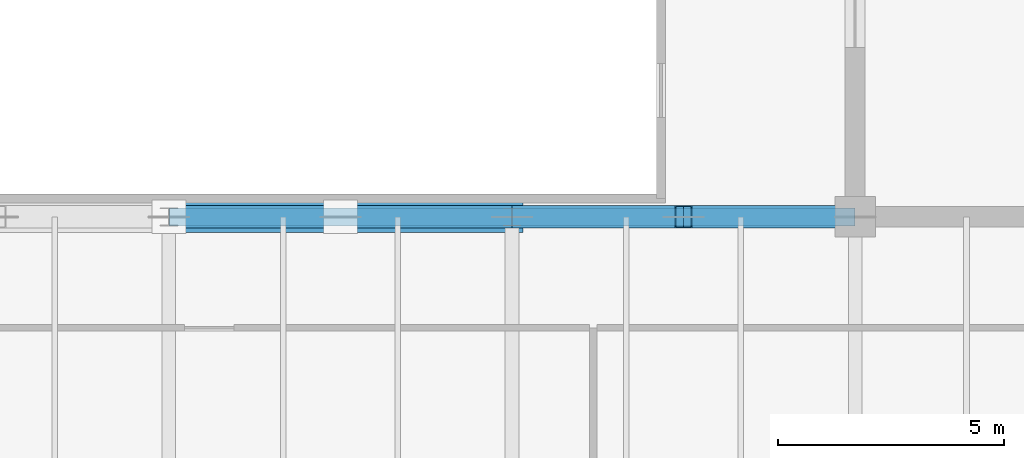
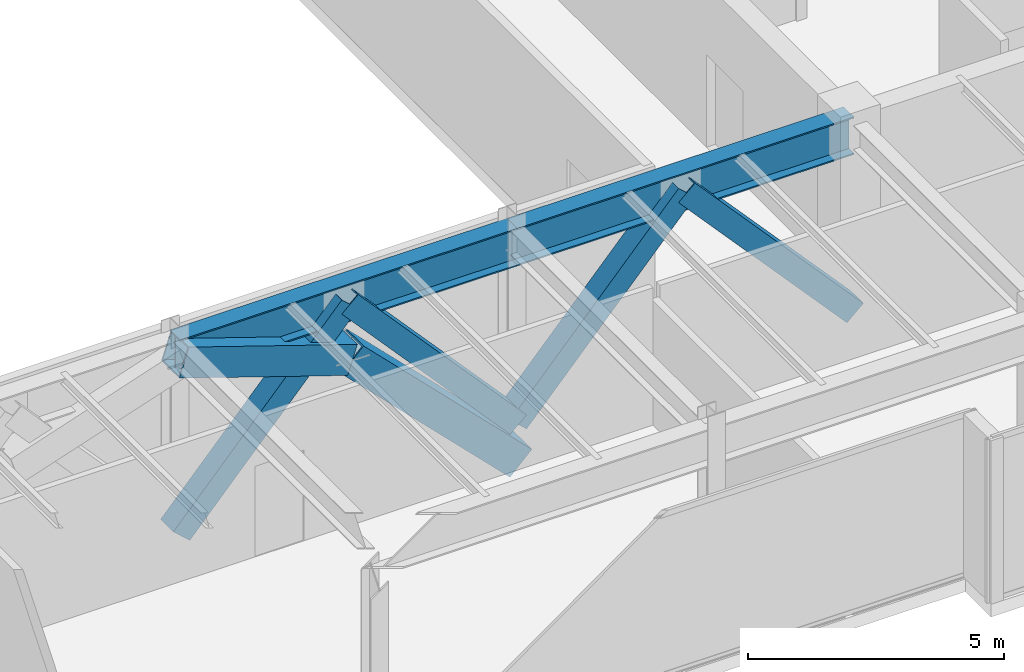
# One storey, part 12 of 32: 6 members, 2 beams.
"""IFC4 building model written with IfcOpenShell, lengths in metres."""

from ifc_helpers import new_model, si_unit, direction, frame, origin, origin_2d, place, context, subcontext, project, spatial, hollow_rectangle, i_section, extrude, source, transform, mapped, material, material_profile, profile_set, type_object, type_shapes, element, save


model = new_model("IFC4")

# Units and contexts
model_context = context("Model", 3, precision=1e-05, world=origin(), true_north=direction((0.0, 1.0)))
body_context = subcontext(model_context, "Body", "Model", "MODEL_VIEW")
ifc_project = project(units=[si_unit("LENGTHUNIT", "METRE"), si_unit("AREAUNIT", "SQUARE_METRE"), si_unit("VOLUMEUNIT", "CUBIC_METRE"), si_unit("PLANEANGLEUNIT", "RADIAN"), si_unit("MASSUNIT", "GRAM", prefix="KILO")], contexts=[model_context])

# Site, building, storey
site_placement = place(None, origin())
site = spatial("IfcSite", under=ifc_project, at=site_placement, CompositionType="ELEMENT")
building_placement = place(site_placement, origin())
building = spatial("IfcBuilding", under=site, at=building_placement, Name="Haelvirn Gate Laboratories", CompositionType="ELEMENT")
storey_placement = place(building_placement, frame((0.0, 0.0, 314.39990234375)))
storey = spatial("IfcBuildingStorey", under=building, at=storey_placement, Name="L75", CompositionType="ELEMENT", Elevation=314.39990234375)

# Beams
ifc_material = material(Name="Steel SM420", Category="steel")
ifc_material_profile_1 = material_profile(ifc_material, i_section(OverallWidth=0.39990234375, OverallDepth=0.89990234375, WebThickness=0.01904296875, FlangeThickness=0.031982421875, at=origin_2d()), Name="H-900x400x19x32")
ifc_profile_set_1 = profile_set([ifc_material_profile_1], Name="Steel SM420")
beam_type = type_object("IfcBeamType", Name="BM-TG-900", PredefinedType="BEAM", material=ifc_profile_set_1)
shared_shape_1 = source(origin(), body_context, "Body", "SweptSolid", [
    extrude(i_section(OverallWidth=0.39990234375, OverallDepth=0.89990234375, WebThickness=0.01904296875, FlangeThickness=0.031982421875, at=origin_2d()), origin(), (0.0, 0.0, 1.0), 7.60009765625),
])
type_shapes(beam_type, [shared_shape_1])
for number, where, z_axis, x_axis, name in (
    (1, (37.39990234375, 14.800048828125, 3.4501953125), (1.0, 0.0, 0.0), (0.0, 1.0, 0.0), "L75 Primary Girder Y14.8 (37.4-45.0)"),
    (2, (45.0, 14.800048828125, 3.4501953125), (1.0, 0.0, 0.0), (0.0, 1.0, 0.0), "L75 Primary Girder Y14.8 (45.0-52.6)"),
):
    element("IfcBeam", number, at=place(storey_placement, frame(where, z_axis=z_axis, x_axis=x_axis)), inside=storey, type_object=beam_type, Name=name, PredefinedType="BEAM", context=body_context, shape_type="MappedRepresentation", body=[
        mapped(shared_shape_1, transform((0.0, 0.0, 0.0), scale=1.0)),
    ])

# Members
ifc_material_profile_2 = material_profile(ifc_material, hollow_rectangle(XDim=0.699951171875, YDim=0.699951171875, WallThickness=0.031982421875, at=origin_2d()), Name="BOX-700x700x32")
ifc_profile_set_2 = profile_set([ifc_material_profile_2], Name="Steel SM420")
member_type_1 = type_object("IfcMemberType", Name="MEM-ARCH-RIB", PredefinedType="CHORD", material=ifc_profile_set_2)
shared_shape_2 = source(origin(), body_context, "Body", "SweptSolid", [
    extrude(hollow_rectangle(XDim=0.699951171875, YDim=0.699951171875, WallThickness=0.031982421875, at=origin_2d()), origin(), (0.0, 0.0, 1.0), 5.371826171875),
])
member_1_placement = place(storey_placement, frame((41.199951171875, 14.800048828125, 2.1845703125), z_axis=(0.707402133154, 0.0, -0.706811305802), x_axis=(0.0, 1.0, 0.0)))
element("IfcMember", 3, at=member_1_placement, inside=storey, type_object=member_type_1, Name="Parabolic Steel Arch Rib Y14.8 Seg 6", PredefinedType="CHORD", context=body_context, shape_type="MappedRepresentation", body=[
    mapped(shared_shape_2, transform((0.0, 0.0, 0.0), scale=1.0)),
])
shared_shape_3 = source(origin(), body_context, "Body", "SweptSolid", [
    extrude(hollow_rectangle(XDim=0.699951171875, YDim=0.699951171875, WallThickness=0.031982421875, at=origin_2d()), origin(), (0.0, 0.0, 1.0), 4.00537109375),
])
type_shapes(member_type_1, [shared_shape_2, shared_shape_3])
member_2_placement = place(storey_placement, frame((37.39990234375, 14.800048828125, 3.4501953125), z_axis=(0.948762509593, 0.0, -0.315990032106), x_axis=(0.0, 1.0, 0.0)))
element("IfcMember", 4, at=member_2_placement, inside=storey, type_object=member_type_1, Name="Parabolic Steel Arch Rib Y14.8 Seg 5", PredefinedType="CHORD", context=body_context, shape_type="MappedRepresentation", body=[
    mapped(shared_shape_3, transform((0.0, 0.0, 0.0), scale=1.0)),
])
ifc_material_profile_3 = material_profile(ifc_material, hollow_rectangle(XDim=0.5, YDim=0.5, WallThickness=0.02197265625, at=origin_2d()), Name="BOX-500x500x22")
ifc_profile_set_3 = profile_set([ifc_material_profile_3], Name="Steel SM420")
member_type_2 = type_object("IfcMemberType", Name="MEM-ARCH-WEB", PredefinedType="BRACE", material=ifc_profile_set_3)
shared_shape_4 = source(origin(), body_context, "Body", "SweptSolid", [
    extrude(hollow_rectangle(XDim=0.5, YDim=0.5, WallThickness=0.02197265625, at=origin_2d()), origin(), (0.0, 0.0, 1.0), 5.6640625),
])
type_shapes(member_type_2, [shared_shape_4])
for number, where, z_axis, x_axis, name in (
    (5, (37.39990234375, 14.800048828125, -0.75), (0.670900908871, 0.0, 0.741547011643), (0.0, 1.0, 0.0), "L75 Arch Truss Chevron Web Y14.8-3A"),
    (6, (41.199951171875, 14.800048828125, 3.4501953125), (0.670900908871, 0.0, -0.741547011643), (0.0, 1.0, 0.0), "L75 Arch Truss Chevron Web Y14.8-3B"),
    (7, (45.0, 14.800048828125, -0.75), (0.670900908871, 0.0, 0.741547011643), (0.0, 1.0, 0.0), "L75 Arch Truss Chevron Web Y14.8-4A"),
    (8, (48.800048828125, 14.800048828125, 3.4501953125), (0.670900908871, 0.0, -0.741547011643), (0.0, 1.0, 0.0), "L75 Arch Truss Chevron Web Y14.8-4B"),
):
    element("IfcMember", number, at=place(storey_placement, frame(where, z_axis=z_axis, x_axis=x_axis)), inside=storey, type_object=member_type_2, Name=name, PredefinedType="BRACE", context=body_context, shape_type="MappedRepresentation", body=[
        mapped(shared_shape_4, transform((0.0, 0.0, 0.0), scale=1.0)),
    ])

save(model, "model.ifc")
